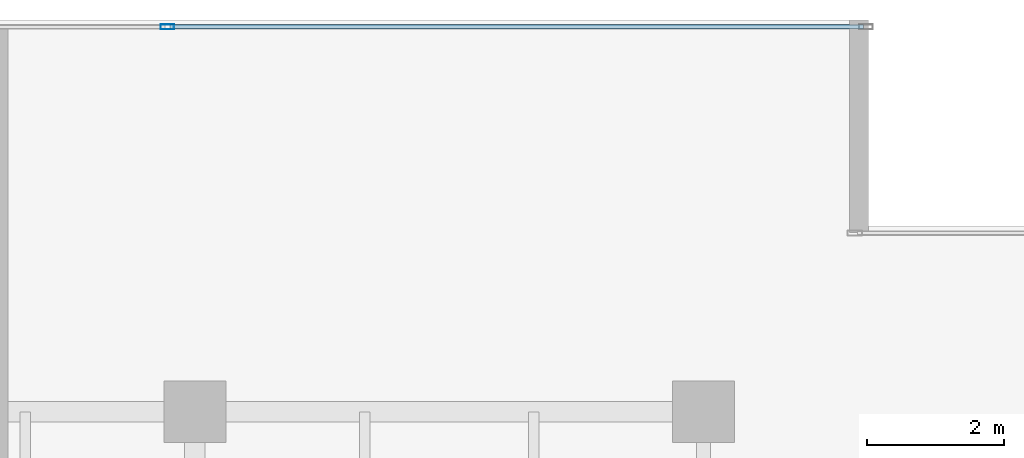
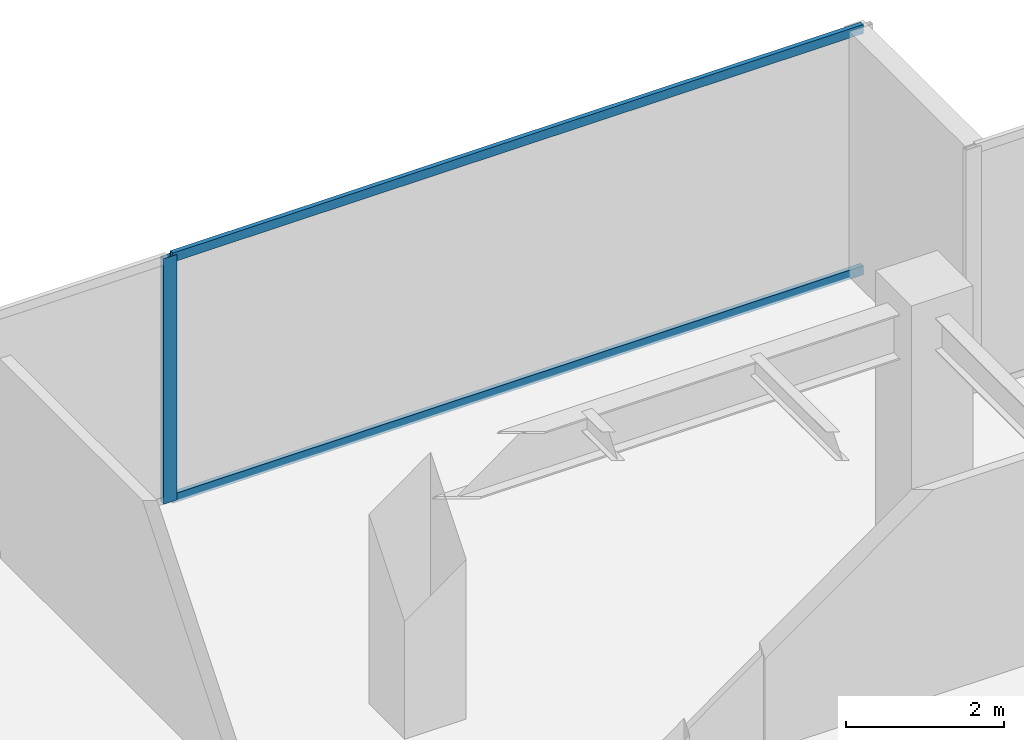
# One storey, part 20 of 31: 3 members, 1 element without a shape of its own.
"""IFC4 building model written with IfcOpenShell, lengths in metres."""

import ifcopenshell
import ifcopenshell.guid

model = None  # the IFC model being written
_history = None  # IfcOwnerHistory: only IFC2X3 demands one
_inside = {}  # id of a spatial element -> (the spatial element, [elements in it])
_under = {}  # id of a project, library or spatial element -> (it, [spatial elements below it])
_declared = {}  # id of a project -> (the project, [libraries it declares])
_typed = {}  # id of a type object -> (the type object, [elements of that type])
_made_of = {}  # id of a material, layer set ... -> (it, [elements and type objects made of it])


def new_model(schema):
    """Start an empty IFC model of exactly this schema.

    Asked for "IFC4X3", IfcOpenShell would pick the latest addendum, in which some entities
    have other attributes; the version numbers below select the first issue.
    IFC2X3 requires an IfcOwnerHistory on every rooted entity: one is made here for all.
    """
    global model, _history
    if schema == "IFC4X3":
        model = ifcopenshell.file(schema_version=(4, 3, 0, 0))
    else:
        model = ifcopenshell.file(schema=schema)
    _inside.clear()
    _under.clear()
    _declared.clear()
    _typed.clear()
    _made_of.clear()
    _history = None
    if model.schema == "IFC2X3":
        org = make("IfcOrganization", Name="unknown")
        user = make(
            "IfcPersonAndOrganization",
            ThePerson=make("IfcPerson", FamilyName="unknown"),
            TheOrganization=org,
        )
        app = make(
            "IfcApplication",
            ApplicationDeveloper=org,
            Version="unknown",
            ApplicationFullName="unknown",
            ApplicationIdentifier="unknown",
        )
        _history = make(
            "IfcOwnerHistory",
            OwningUser=user,
            OwningApplication=app,
            ChangeAction="ADDED",
            CreationDate=0,
        )
    return model


def make(cls, **values):
    """One entity of the class cls with the attributes given. An attribute that is None is left unset."""
    return model.create_entity(
        cls, **{name: value for name, value in values.items() if value is not None}
    )


def rooted(cls, **values):
    """An entity with a GlobalId (a new one), such as an element, a storey or a relation."""
    return make(cls, GlobalId=ifcopenshell.guid.new(), OwnerHistory=_history, **values)


def si_unit(unit_type, name, prefix=None):
    """IfcSIUnit, for example si_unit("LENGTHUNIT", "METRE", prefix="MILLI")."""
    return make("IfcSIUnit", UnitType=unit_type, Prefix=prefix, Name=name)


def assignment(units):
    """IfcUnitAssignment: the units of a project."""
    return None if units is None else make("IfcUnitAssignment", Units=units)


def point(xyz):
    """IfcCartesianPoint."""
    return None if xyz is None else make("IfcCartesianPoint", Coordinates=xyz)


def direction(xyz):
    """IfcDirection."""
    return None if xyz is None else make("IfcDirection", DirectionRatios=xyz)


def frame(location, z_axis=None, x_axis=None):
    """IfcAxis2Placement3D, a coordinate frame: its origin and axes. An axis left out is left unset."""
    return make(
        "IfcAxis2Placement3D",
        Location=point(location),
        Axis=direction(z_axis),
        RefDirection=direction(x_axis),
    )


def frame_2d(location, x_axis=None):
    """IfcAxis2Placement2D, a coordinate frame in the plane: its origin and x axis."""
    return make(
        "IfcAxis2Placement2D", Location=point(location), RefDirection=direction(x_axis)
    )


def origin():
    """The frame at (0, 0, 0) with its axes left unset."""
    return frame((0.0, 0.0, 0.0))


def origin_2d():
    """The frame at (0, 0) in the plane with its x axis left unset."""
    return frame_2d((0.0, 0.0))


def place(relative_to, where):
    """IfcLocalPlacement: puts the frame where relative to a parent placement (None: the world)."""
    return make(
        "IfcLocalPlacement", PlacementRelTo=relative_to, RelativePlacement=where
    )


def context(
    kind, dimensions, precision=None, world=None, true_north=None, identifier=None
):
    """IfcGeometricRepresentationContext, for example the 3D "Model" context."""
    return make(
        "IfcGeometricRepresentationContext",
        ContextIdentifier=identifier,
        ContextType=kind,
        CoordinateSpaceDimension=dimensions,
        Precision=precision,
        WorldCoordinateSystem=world,
        TrueNorth=true_north,
    )


def subcontext(parent, identifier, kind, view, scale=None):
    """IfcGeometricRepresentationSubContext, for example "Body" below "Model"."""
    return make(
        "IfcGeometricRepresentationSubContext",
        ContextIdentifier=identifier,
        ContextType=kind,
        ParentContext=parent,
        TargetScale=scale,
        TargetView=view,
    )


def project(units=None, contexts=None):
    """IfcProject with its units and contexts."""
    return rooted(
        "IfcProject",
        Name="project",
        RepresentationContexts=contexts,
        UnitsInContext=assignment(units),
    )


def spatial(cls, under=None, at=None, **own):
    """A site, building, storey or space (cls), placed at a placement, below another one or the project."""
    s = rooted(cls, ObjectPlacement=at, **own)
    if under is not None:
        _under.setdefault(under.id(), (under, []))[1].append(s)
    return s


def profile(cls, at=None, kind="AREA", **sizes):
    """A parametric profile (cls). Its sizes go by their IFC names, for example OverallWidth=200.0."""
    return make(cls, ProfileType=kind, Position=at, **sizes)


def hollow_rectangle(**sizes):
    """IfcRectangleHollowProfileDef."""
    return profile("IfcRectangleHollowProfileDef", **sizes)


def extrude(swept, where, along, depth):
    """IfcExtrudedAreaSolid: the profile swept, set in the frame where, extruded along a direction by depth."""
    return make(
        "IfcExtrudedAreaSolid",
        SweptArea=swept,
        Position=where,
        ExtrudedDirection=direction(along),
        Depth=depth,
    )


def shape(context_of_items, identifier, shape_type, items):
    """IfcShapeRepresentation: the items that make up one representation, for example the "Body"."""
    return make(
        "IfcShapeRepresentation",
        ContextOfItems=context_of_items,
        RepresentationIdentifier=identifier,
        RepresentationType=shape_type,
        Items=items,
    )


def source(mapping_origin, context_of_items, identifier, shape_type, items):
    """IfcRepresentationMap: a shape defined once, which mapped items show again and again."""
    return make(
        "IfcRepresentationMap",
        MappingOrigin=mapping_origin,
        MappedRepresentation=shape(context_of_items, identifier, shape_type, items),
    )


def transform(
    local_origin,
    x_axis=None,
    y_axis=None,
    z_axis=None,
    scale=None,
    scale2=None,
    scale3=None,
    uniform=True,
):
    """IfcCartesianTransformationOperator3D, or its non-uniform kind. x_axis, y_axis, z_axis: its Axis1, 2, 3."""
    if uniform:
        return make(
            "IfcCartesianTransformationOperator3D",
            Axis1=direction(x_axis),
            Axis2=direction(y_axis),
            LocalOrigin=point(local_origin),
            Scale=scale,
            Axis3=direction(z_axis),
        )
    return make(
        "IfcCartesianTransformationOperator3DnonUniform",
        Axis1=direction(x_axis),
        Axis2=direction(y_axis),
        LocalOrigin=point(local_origin),
        Scale=scale,
        Axis3=direction(z_axis),
        Scale2=scale2,
        Scale3=scale3,
    )


def mapped(mapping_source, mapping_target):
    """IfcMappedItem: shows the shape of a source again, moved by a transform."""
    return make(
        "IfcMappedItem", MappingSource=mapping_source, MappingTarget=mapping_target
    )


def material(Name=None, Category=None):
    """IfcMaterial."""
    return make("IfcMaterial", Name=Name, Category=Category)


def layer(
    of_material, thickness, ventilated=None, Name=None, Category=None, Priority=None
):
    """IfcMaterialLayer: one layer of a wall or slab, of a material (None: an air gap)."""
    return make(
        "IfcMaterialLayer",
        Material=of_material,
        LayerThickness=thickness,
        IsVentilated=ventilated,
        Name=Name,
        Category=Category,
        Priority=Priority,
    )


def layer_set(layers, Name=None):
    """IfcMaterialLayerSet."""
    return make("IfcMaterialLayerSet", MaterialLayers=layers, LayerSetName=Name)


def material_profile(
    of_material, cross_section, Name=None, Category=None, Priority=None
):
    """IfcMaterialProfile: a cross section and its material."""
    return make(
        "IfcMaterialProfile",
        Name=Name,
        Material=of_material,
        Profile=cross_section,
        Priority=Priority,
        Category=Category,
    )


def profile_set(profiles, Name=None, composite=None):
    """IfcMaterialProfileSet."""
    return make(
        "IfcMaterialProfileSet",
        Name=Name,
        MaterialProfiles=profiles,
        CompositeProfile=composite,
    )


def made_of(thing, what):
    """Note that an element or type object is made of a material, layer set ...; save() writes the relation."""
    if what is not None:
        _made_of.setdefault(what.id(), (what, []))[1].append(thing)
    return thing


def type_object(cls, material=None, **own):
    """A type object (cls), such as IfcWallType, which elements share."""
    return made_of(rooted(cls, **own), material)


def type_shapes(of_type, sources):
    """Give a type object the sources (RepresentationMaps) that its elements show as mapped items."""
    of_type.RepresentationMaps = sources


def element(
    cls,
    number,
    at=None,
    inside=None,
    cuts=None,
    type_object=None,
    material=None,
    context=None,
    identifier="Body",
    shape_type=None,
    held_by="IfcProductDefinitionShape",
    body=None,
    shapes=None,
    **own,
):
    """One element of the class cls, such as IfcWall. Its Tag is "e" and its number.

    at: its placement. inside: the storey or other place that contains it. cuts: it is an
    opening in that element (IfcRelVoidsElement). A single representation is given by context,
    identifier, shape_type and body (its items); several are given by shapes. held_by: the class
    of the entity that holds the representations. save() writes the other relations.
    """
    e = rooted(cls, Tag="e%d" % number, ObjectPlacement=at, **own)
    if body is not None:
        shapes = [shape(context, identifier, shape_type, body)]
    if shapes is not None:
        e.Representation = make(held_by, Representations=shapes)
    if inside is not None:
        _inside.setdefault(inside.id(), (inside, []))[1].append(e)
    if cuts is not None:
        rooted(
            "IfcRelVoidsElement", RelatingBuildingElement=cuts, RelatedOpeningElement=e
        )
    if type_object is not None:
        _typed.setdefault(type_object.id(), (type_object, []))[1].append(e)
    return made_of(e, material)


def aggregate(whole, parts):
    """IfcRelAggregates: a whole, such as a stair, and the parts it consists of."""
    return rooted("IfcRelAggregates", RelatingObject=whole, RelatedObjects=parts)


def save(model, path):
    """Write the relations noted so far, then the file.

    IfcRelAggregates (storeys below a building ...), IfcRelContainedInSpatialStructure (elements
    in a storey), IfcRelDefinesByType, IfcRelAssociatesMaterial and IfcRelDeclares: one each for
    every whole, place, type object, material and project.
    """
    for whole, parts in _under.values():
        aggregate(whole, parts)
    for where, things in _inside.values():
        rooted(
            "IfcRelContainedInSpatialStructure",
            RelatedElements=things,
            RelatingStructure=where,
        )
    for kind, things in _typed.values():
        rooted("IfcRelDefinesByType", RelatedObjects=things, RelatingType=kind)
    for what, things in _made_of.values():
        rooted("IfcRelAssociatesMaterial", RelatedObjects=things, RelatingMaterial=what)
    for by, libraries in _declared.values():
        rooted("IfcRelDeclares", RelatingContext=by, RelatedDefinitions=libraries)
    model.write(path)


model = new_model("IFC4")

# Units and contexts
model_context = context("Model", 3, precision=1e-05, world=origin(), true_north=direction((0.0, 1.0)))
body_context = subcontext(model_context, "Body", "Model", "MODEL_VIEW")
ifc_project = project(units=[si_unit("LENGTHUNIT", "METRE"), si_unit("AREAUNIT", "SQUARE_METRE"), si_unit("VOLUMEUNIT", "CUBIC_METRE"), si_unit("PLANEANGLEUNIT", "RADIAN"), si_unit("MASSUNIT", "GRAM", prefix="KILO")], contexts=[model_context])

# Site, building, storey
site_placement = place(None, origin())
site = spatial("IfcSite", under=ifc_project, at=site_placement, CompositionType="ELEMENT")
building_placement = place(site_placement, origin())
building = spatial("IfcBuilding", under=site, at=building_placement, Name="Haelvirn Gate Laboratories", CompositionType="ELEMENT")
storey_placement = place(building_placement, frame((0.0, 0.0, 174.800048828125)))
storey = spatial("IfcBuildingStorey", under=building, at=storey_placement, Name="L42", CompositionType="ELEMENT", Elevation=174.800048828125)

# Curtain wall, members
ifc_material_1 = material(Name="Anodised bronze unitised aluminium & triple low-E glass", Category="aluminium")
ifc_layer = layer(ifc_material_1, 0.179931640625, Name="CW-SYS-3")
ifc_layer_set = layer_set([ifc_layer], Name="Anodised bronze unitised aluminium & triple low-E glass")
curtain_wall_type = type_object("IfcCurtainWallType", Name="CW-SYS-3", PredefinedType="NOTDEFINED", material=ifc_layer_set)
curtain_wall_placement = place(storey_placement, origin())
curtain_wall = element("IfcCurtainWall", 1, at=curtain_wall_placement, inside=storey, type_object=curtain_wall_type, Name="L42 Unitised Curtain Wall CW-L42-P0-E10-1", PredefinedType="NOTDEFINED")
ifc_material_2 = material(Name="Extruded aluminium 6063-T6 (anodised bronze)", Category="aluminium")
ifc_material_profile_1 = material_profile(ifc_material_2, hollow_rectangle(XDim=0.06494140625, YDim=0.139892578125, WallThickness=0.00390625, at=origin_2d()), Name="CWT-140x65x4")
ifc_profile_set_1 = profile_set([ifc_material_profile_1], Name="Extruded aluminium 6063-T6 (anodised bronze)")
member_type_1 = type_object("IfcMemberType", Name="CWT-T140", PredefinedType="USERDEFINED", material=ifc_profile_set_1)
shared_shape_1 = source(origin(), body_context, "Body", "SweptSolid", [
    extrude(hollow_rectangle(XDim=0.06494140625, YDim=0.139892578125, WallThickness=0.00390625, at=origin_2d()), origin(), (0.0, 0.0, 1.0), 10.087646484375),
])
type_shapes(member_type_1, [shared_shape_1])
member_1_placement = place(storey_placement, frame((59.637451171875, 47.199951171875, 0.032470703125), z_axis=(1.0, 0.0, 0.0), x_axis=(0.0, 1.0, 0.0)))
member_1 = element("IfcMember", 2, at=member_1_placement, type_object=member_type_1, Name="CW3 transom 2.1", ObjectType="TRANSOM", PredefinedType="USERDEFINED", context=body_context, shape_type="MappedRepresentation", body=[
    mapped(shared_shape_1, transform((0.0, 0.0, 0.0), scale=1.0)),
])
member_2_placement = place(storey_placement, frame((59.637451171875, 47.199951171875, 3.757568359375), z_axis=(1.0, 0.0, 0.0), x_axis=(0.0, 1.0, 0.0)))
member_2 = element("IfcMember", 3, at=member_2_placement, type_object=member_type_1, Name="CW3 transom 2.2", ObjectType="TRANSOM", PredefinedType="USERDEFINED", context=body_context, shape_type="MappedRepresentation", body=[
    mapped(shared_shape_1, transform((0.0, 0.0, 0.0), scale=1.0)),
])
ifc_material_profile_2 = material_profile(ifc_material_2, hollow_rectangle(XDim=0.074951171875, YDim=0.199951171875, WallThickness=0.0048828125, at=origin_2d()), Name="CWM-200x75x5")
ifc_profile_set_2 = profile_set([ifc_material_profile_2], Name="Extruded aluminium 6063-T6 (anodised bronze)")
member_type_2 = type_object("IfcMemberType", Name="CWM-T200", PredefinedType="MULLION", material=ifc_profile_set_2)
shared_shape_2 = source(origin(), body_context, "Body", "SweptSolid", [
    extrude(hollow_rectangle(XDim=0.074951171875, YDim=0.199951171875, WallThickness=0.0048828125, at=origin_2d()), origin(), (0.0, 0.0, 1.0), 3.7900390625),
])
type_shapes(member_type_2, [shared_shape_2])
member_3_placement = place(storey_placement, frame((59.60009765625, 47.199951171875, 0.0), z_axis=(0.0, 0.0, 1.0), x_axis=(0.0, 1.0, 0.0)))
member_3 = element("IfcMember", 4, at=member_3_placement, type_object=member_type_2, Name="CW3 mullion 2", PredefinedType="MULLION", context=body_context, shape_type="MappedRepresentation", body=[
    mapped(shared_shape_2, transform((0.0, 0.0, 0.0), scale=1.0)),
])
aggregate(curtain_wall, [member_3, member_1, member_2])

save(model, "model.ifc")
